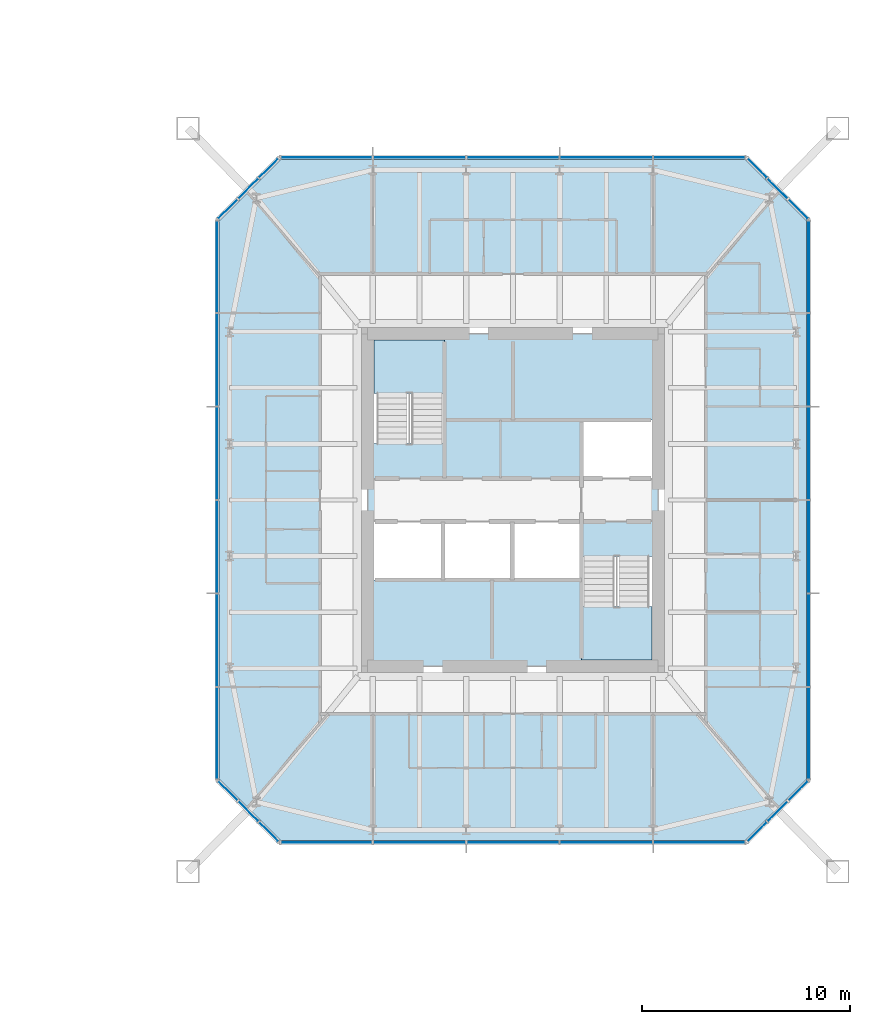
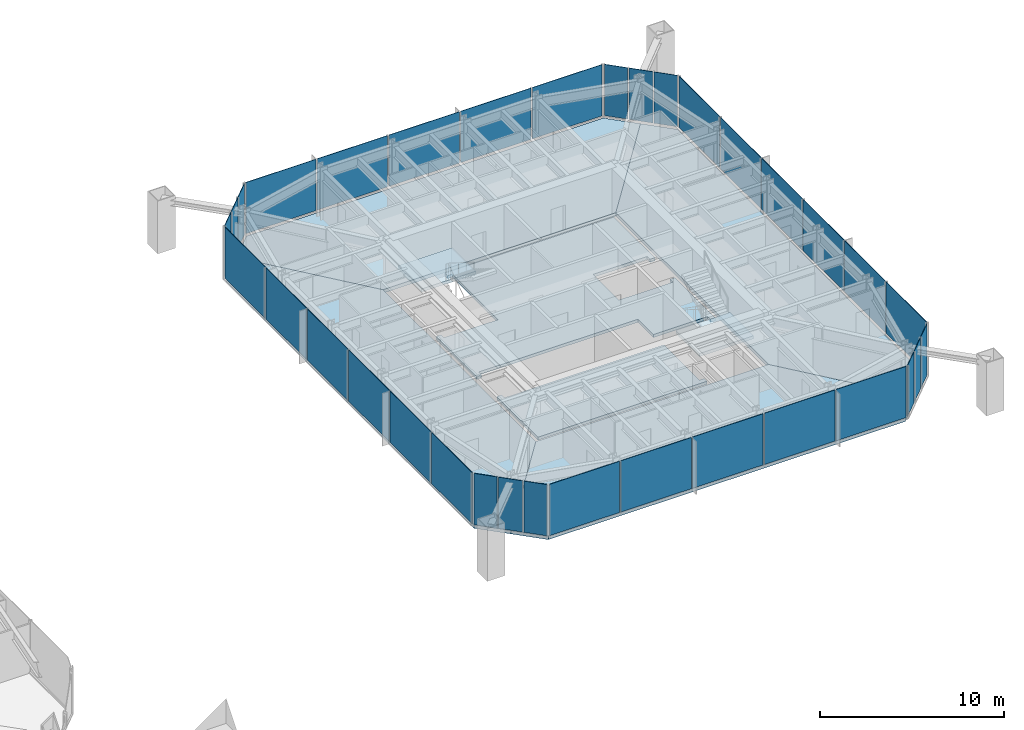
# One storey, part 12 of 25: 34 plates, 8 slabs, 10 elements without a shape of their own.
"""IFC4 building model written with IfcOpenShell, lengths in metres."""

from ifc_helpers import new_model, si_unit, direction, frame, origin, origin_2d, place, context, subcontext, project, spatial, polyline, rectangle, outline, extrude, material, layer, layer_set, constituent, constituent_set, type_object, element, aggregate, save


model = new_model("IFC4")

# Units and contexts
model_context = context("Model", 3, precision=1e-05, world=origin(), true_north=direction((0.0, 1.0)))
body_context = subcontext(model_context, "Body", "Model", "MODEL_VIEW")
ifc_project = project(units=[si_unit("LENGTHUNIT", "METRE"), si_unit("AREAUNIT", "SQUARE_METRE"), si_unit("VOLUMEUNIT", "CUBIC_METRE"), si_unit("PLANEANGLEUNIT", "RADIAN"), si_unit("MASSUNIT", "GRAM", prefix="KILO")], contexts=[model_context])

# Site, building, storey
site_placement = place(None, origin())
site = spatial("IfcSite", under=ifc_project, at=site_placement, CompositionType="ELEMENT")
building_placement = place(site_placement, origin())
building = spatial("IfcBuilding", under=site, at=building_placement, Name="Iwan Alto Co-Living Towers", CompositionType="ELEMENT")
storey_placement = place(building_placement, frame((0.0, 0.0, 105.0)))
storey = spatial("IfcBuildingStorey", under=building, at=storey_placement, Name="L28", CompositionType="ELEMENT", Elevation=105.0)

# Slabs
ifc_material_1 = material(Name="Concrete f'c 30 MPa", Category="concrete")
ifc_layer_1 = layer(ifc_material_1, 0.199951171875)
ifc_layer_set_1 = layer_set([ifc_layer_1], Name="CORE FLOOR SLAB 200")
slab_type_1 = type_object("IfcSlabType", Name="CORE FLOOR SLAB 200", PredefinedType="FLOOR", material=ifc_layer_set_1)
slab_1_placement = place(storey_placement, frame((0.0, 0.0, -0.199951171875)))
element("IfcSlab", 1, at=slab_1_placement, inside=storey, type_object=slab_type_1, Name="T2 core floor L28", PredefinedType="FLOOR", context=body_context, shape_type="SweptSolid", body=[
    extrude(outline(polyline([(70.0, -3.030029296875), (69.699951171875, -3.030029296875), (69.699951171875, -2.719970703125), (66.300048828125, -2.719970703125), (66.300048828125, -1.050048828125), (62.967041015625, -1.050048828125), (59.633056640625, -1.050048828125), (56.300048828125, -1.050048828125), (56.300048828125, -1.360107421875), (56.0, -1.360107421875), (56.0, 3.030029296875), (56.300048828125, 3.030029296875), (56.300048828125, 2.719970703125), (59.699951171875, 2.719970703125), (59.699951171875, 7.699951171875), (59.389892578125, 7.699951171875), (59.389892578125, 8.0), (70.0, 8.0), (70.0, 3.5400390625), (69.699951171875, 3.5400390625), (69.699951171875, 3.85009765625), (66.300048828125, 3.85009765625), (66.300048828125, 1.050048828125), (69.699951171875, 1.050048828125), (69.699951171875, 1.360107421875), (70.0, 1.360107421875), (70.0, -3.030029296875)])), origin(), (0.0, 0.0, 1.0), 0.199951171875),
])
slab_2_placement = place(storey_placement, frame((0.0, 0.0, -0.199951171875)))
element("IfcSlab", 2, at=slab_2_placement, inside=storey, type_object=slab_type_1, Name="T2 core floor L28", PredefinedType="FLOOR", context=body_context, shape_type="SweptSolid", body=[
    extrude(outline(polyline([(62.967041015625, -3.85009765625), (66.300048828125, -3.85009765625), (66.300048828125, -7.699951171875), (66.610107421875, -7.699951171875), (66.610107421875, -8.0), (56.0, -8.0), (56.0, -3.5400390625), (56.300048828125, -3.5400390625), (56.300048828125, -3.85009765625), (59.633056640625, -3.85009765625), (62.967041015625, -3.85009765625)])), origin(), (0.0, 0.0, 1.0), 0.199951171875),
])

# Curtain wall, plates
ifc_material_2 = material(Name="Bronze aluminium unitised frame", Category="aluminium")
curtain_wall_type_1 = type_object("IfcCurtainWallType", Name="CURTAIN WALL CW-C", PredefinedType="NOTDEFINED", material=ifc_material_2)
curtain_wall_1_placement = place(storey_placement, origin())
curtain_wall_1 = element("IfcCurtainWall", 3, at=curtain_wall_1_placement, inside=storey, type_object=curtain_wall_type_1, Name="T2 curtain wall S L28", PredefinedType="NOTDEFINED")
ifc_material_3 = material(Name="Bronze-tinted insulating glass", Category="glass")
ifc_layer_2 = layer(ifc_material_3, 0.031982421875)
ifc_layer_set_2 = layer_set([ifc_layer_2], Name="CW-C PANEL TINTED IGU 32")
plate_type_1 = type_object("IfcPlateType", Name="CW-C PANEL TINTED IGU 32", PredefinedType="CURTAIN_PANEL", material=ifc_layer_set_2)
plate_1_placement = place(storey_placement, frame((58.5, -16.5, 0.10009765625), z_axis=(0.0, 0.0, 1.0), x_axis=(1.0, 0.0, 0.0)))
plate_1 = element("IfcPlate", 4, at=plate_1_placement, type_object=plate_type_1, Name="CW-C panel 2.1", PredefinedType="CURTAIN_PANEL", context=body_context, shape_type="SweptSolid", body=[
    extrude(rectangle(XDim=4.419921875, YDim=0.031982421875, at=origin_2d()), origin(), (0.0, 0.0, 1.0), 3.39990234375),
])
plate_2_placement = place(storey_placement, frame((63.0, -16.5, 0.10009765625), z_axis=(0.0, 0.0, 1.0), x_axis=(1.0, 0.0, 0.0)))
plate_2 = element("IfcPlate", 5, at=plate_2_placement, type_object=plate_type_1, Name="CW-C panel 3.1", PredefinedType="CURTAIN_PANEL", context=body_context, shape_type="SweptSolid", body=[
    extrude(rectangle(XDim=4.419921875, YDim=0.031982421875, at=origin_2d()), origin(), (0.0, 0.0, 1.0), 3.39990234375),
])
plate_3_placement = place(storey_placement, frame((67.5, -16.5, 0.10009765625), z_axis=(0.0, 0.0, 1.0), x_axis=(1.0, 0.0, 0.0)))
plate_3 = element("IfcPlate", 6, at=plate_3_placement, type_object=plate_type_1, Name="CW-C panel 4.1", PredefinedType="CURTAIN_PANEL", context=body_context, shape_type="SweptSolid", body=[
    extrude(rectangle(XDim=4.419921875, YDim=0.031982421875, at=origin_2d()), origin(), (0.0, 0.0, 1.0), 3.39990234375),
])

curtain_wall_2_placement = place(storey_placement, origin())
curtain_wall_2 = element("IfcCurtainWall", 7, at=curtain_wall_2_placement, inside=storey, type_object=curtain_wall_type_1, Name="T2 curtain wall E L28", PredefinedType="NOTDEFINED")
plate_4_placement = place(storey_placement, frame((77.25, -2.25, 0.10009765625), z_axis=(0.0, 0.0, 1.0), x_axis=(0.0, 1.0, 0.0)))
plate_4 = element("IfcPlate", 8, at=plate_4_placement, type_object=plate_type_1, Name="CW-C panel 3.1", PredefinedType="CURTAIN_PANEL", context=body_context, shape_type="SweptSolid", body=[
    extrude(rectangle(XDim=4.419921875, YDim=0.031982421875, at=origin_2d()), origin(), (0.0, 0.0, 1.0), 3.39990234375),
])
plate_5_placement = place(storey_placement, frame((77.25, 2.25, 0.10009765625), z_axis=(0.0, 0.0, 1.0), x_axis=(0.0, 1.0, 0.0)))
plate_5 = element("IfcPlate", 9, at=plate_5_placement, type_object=plate_type_1, Name="CW-C panel 4.1", PredefinedType="CURTAIN_PANEL", context=body_context, shape_type="SweptSolid", body=[
    extrude(rectangle(XDim=4.419921875, YDim=0.031982421875, at=origin_2d()), origin(), (0.0, 0.0, 1.0), 3.39990234375),
])

curtain_wall_3_placement = place(storey_placement, origin())
curtain_wall_3 = element("IfcCurtainWall", 10, at=curtain_wall_3_placement, inside=storey, type_object=curtain_wall_type_1, Name="T2 curtain wall N L28", PredefinedType="NOTDEFINED")
plate_6_placement = place(storey_placement, frame((67.5, 16.5, 0.10009765625), z_axis=(0.0, 0.0, 1.0), x_axis=(-1.0, 0.0, 0.0)))
plate_6 = element("IfcPlate", 11, at=plate_6_placement, type_object=plate_type_1, Name="CW-C panel 2.1", PredefinedType="CURTAIN_PANEL", context=body_context, shape_type="SweptSolid", body=[
    extrude(rectangle(XDim=4.419921875, YDim=0.031982421875, at=origin_2d()), origin(), (0.0, 0.0, 1.0), 3.39990234375),
])
plate_7_placement = place(storey_placement, frame((63.0, 16.5, 0.10009765625), z_axis=(0.0, 0.0, 1.0), x_axis=(-1.0, 0.0, 0.0)))
plate_7 = element("IfcPlate", 12, at=plate_7_placement, type_object=plate_type_1, Name="CW-C panel 3.1", PredefinedType="CURTAIN_PANEL", context=body_context, shape_type="SweptSolid", body=[
    extrude(rectangle(XDim=4.419921875, YDim=0.031982421875, at=origin_2d()), origin(), (0.0, 0.0, 1.0), 3.39990234375),
])
plate_8_placement = place(storey_placement, frame((58.5, 16.5, 0.10009765625), z_axis=(0.0, 0.0, 1.0), x_axis=(-1.0, 0.0, 0.0)))
plate_8 = element("IfcPlate", 13, at=plate_8_placement, type_object=plate_type_1, Name="CW-C panel 4.1", PredefinedType="CURTAIN_PANEL", context=body_context, shape_type="SweptSolid", body=[
    extrude(rectangle(XDim=4.419921875, YDim=0.031982421875, at=origin_2d()), origin(), (0.0, 0.0, 1.0), 3.39990234375),
])

curtain_wall_4_placement = place(storey_placement, origin())
curtain_wall_4 = element("IfcCurtainWall", 14, at=curtain_wall_4_placement, inside=storey, type_object=curtain_wall_type_1, Name="T2 curtain wall W L28", PredefinedType="NOTDEFINED")
plate_9_placement = place(storey_placement, frame((48.75, 2.25, 0.10009765625), z_axis=(0.0, 0.0, 1.0), x_axis=(0.0, -1.0, 0.0)))
plate_9 = element("IfcPlate", 15, at=plate_9_placement, type_object=plate_type_1, Name="CW-C panel 3.1", PredefinedType="CURTAIN_PANEL", context=body_context, shape_type="SweptSolid", body=[
    extrude(rectangle(XDim=4.419921875, YDim=0.031982421875, at=origin_2d()), origin(), (0.0, 0.0, 1.0), 3.39990234375),
])
plate_10_placement = place(storey_placement, frame((48.75, -2.25, 0.10009765625), z_axis=(0.0, 0.0, 1.0), x_axis=(0.0, -1.0, 0.0)))
plate_10 = element("IfcPlate", 16, at=plate_10_placement, type_object=plate_type_1, Name="CW-C panel 4.1", PredefinedType="CURTAIN_PANEL", context=body_context, shape_type="SweptSolid", body=[
    extrude(rectangle(XDim=4.419921875, YDim=0.031982421875, at=origin_2d()), origin(), (0.0, 0.0, 1.0), 3.39990234375),
])

# Plate
ifc_material_4 = material(Name="Insulated bronze aluminium spandrel panel", Category="aluminium")
ifc_layer_3 = layer(ifc_material_4, 0.031982421875)
ifc_layer_set_3 = layer_set([ifc_layer_3], Name="CW-C SPANDREL PANEL 32")
plate_type_2 = type_object("IfcPlateType", Name="CW-C SPANDREL PANEL 32", PredefinedType="CURTAIN_PANEL", material=ifc_layer_set_3)
plate_11_placement = place(storey_placement, frame((54.02001953125, -16.5, 0.10009765625), z_axis=(0.0, 0.0, 1.0), x_axis=(1.0, 0.0, 0.0)))
plate_11 = element("IfcPlate", 17, at=plate_11_placement, type_object=plate_type_2, Name="CW-C spandrel panel 1.1 (braced bay)", PredefinedType="CURTAIN_PANEL", context=body_context, shape_type="SweptSolid", body=[
    extrude(rectangle(XDim=4.3798828125, YDim=0.031982421875, at=origin_2d()), origin(), (0.0, 0.0, 1.0), 3.39990234375),
])

plate_12_placement = place(storey_placement, frame((71.97998046875, -16.5, 0.10009765625), z_axis=(0.0, 0.0, 1.0), x_axis=(1.0, 0.0, 0.0)))
plate_12 = element("IfcPlate", 18, at=plate_12_placement, type_object=plate_type_2, Name="CW-C spandrel panel 5.1 (braced bay)", PredefinedType="CURTAIN_PANEL", context=body_context, shape_type="SweptSolid", body=[
    extrude(rectangle(XDim=4.3798828125, YDim=0.031982421875, at=origin_2d()), origin(), (0.0, 0.0, 1.0), 3.39990234375),
])

aggregate(curtain_wall_1, [plate_1, plate_2, plate_3, plate_11, plate_12])

plate_13_placement = place(storey_placement, frame((77.25, -11.22998046875, 0.10009765625), z_axis=(0.0, 0.0, 1.0), x_axis=(0.0, 1.0, 0.0)))
plate_13 = element("IfcPlate", 19, at=plate_13_placement, type_object=plate_type_2, Name="CW-C spandrel panel 1.1 (braced bay)", PredefinedType="CURTAIN_PANEL", context=body_context, shape_type="SweptSolid", body=[
    extrude(rectangle(XDim=4.3798828125, YDim=0.031982421875, at=origin_2d()), origin(), (0.0, 0.0, 1.0), 3.39990234375),
])

plate_14_placement = place(storey_placement, frame((77.25, -6.75, 0.10009765625), z_axis=(0.0, 0.0, 1.0), x_axis=(0.0, 1.0, 0.0)))
plate_14 = element("IfcPlate", 20, at=plate_14_placement, type_object=plate_type_2, Name="CW-C spandrel panel 2.1 (braced bay)", PredefinedType="CURTAIN_PANEL", context=body_context, shape_type="SweptSolid", body=[
    extrude(rectangle(XDim=4.419921875, YDim=0.031982421875, at=origin_2d()), origin(), (0.0, 0.0, 1.0), 3.39990234375),
])

plate_15_placement = place(storey_placement, frame((77.25, 6.75, 0.10009765625), z_axis=(0.0, 0.0, 1.0), x_axis=(0.0, 1.0, 0.0)))
plate_15 = element("IfcPlate", 21, at=plate_15_placement, type_object=plate_type_2, Name="CW-C spandrel panel 5.1 (braced bay)", PredefinedType="CURTAIN_PANEL", context=body_context, shape_type="SweptSolid", body=[
    extrude(rectangle(XDim=4.419921875, YDim=0.031982421875, at=origin_2d()), origin(), (0.0, 0.0, 1.0), 3.39990234375),
])

plate_16_placement = place(storey_placement, frame((77.25, 11.22998046875, 0.10009765625), z_axis=(0.0, 0.0, 1.0), x_axis=(0.0, 1.0, 0.0)))
plate_16 = element("IfcPlate", 22, at=plate_16_placement, type_object=plate_type_2, Name="CW-C spandrel panel 6.1 (braced bay)", PredefinedType="CURTAIN_PANEL", context=body_context, shape_type="SweptSolid", body=[
    extrude(rectangle(XDim=4.3798828125, YDim=0.031982421875, at=origin_2d()), origin(), (0.0, 0.0, 1.0), 3.39990234375),
])

aggregate(curtain_wall_2, [plate_4, plate_5, plate_13, plate_14, plate_15, plate_16])

plate_17_placement = place(storey_placement, frame((71.97998046875, 16.5, 0.10009765625), z_axis=(0.0, 0.0, 1.0), x_axis=(-1.0, 0.0, 0.0)))
plate_17 = element("IfcPlate", 23, at=plate_17_placement, type_object=plate_type_2, Name="CW-C spandrel panel 1.1 (braced bay)", PredefinedType="CURTAIN_PANEL", context=body_context, shape_type="SweptSolid", body=[
    extrude(rectangle(XDim=4.3798828125, YDim=0.031982421875, at=origin_2d()), origin(), (0.0, 0.0, 1.0), 3.39990234375),
])

plate_18_placement = place(storey_placement, frame((54.02001953125, 16.5, 0.10009765625), z_axis=(0.0, 0.0, 1.0), x_axis=(-1.0, 0.0, 0.0)))
plate_18 = element("IfcPlate", 24, at=plate_18_placement, type_object=plate_type_2, Name="CW-C spandrel panel 5.1 (braced bay)", PredefinedType="CURTAIN_PANEL", context=body_context, shape_type="SweptSolid", body=[
    extrude(rectangle(XDim=4.3798828125, YDim=0.031982421875, at=origin_2d()), origin(), (0.0, 0.0, 1.0), 3.39990234375),
])

aggregate(curtain_wall_3, [plate_6, plate_7, plate_8, plate_17, plate_18])

plate_19_placement = place(storey_placement, frame((48.75, 11.22998046875, 0.10009765625), z_axis=(0.0, 0.0, 1.0), x_axis=(0.0, -1.0, 0.0)))
plate_19 = element("IfcPlate", 25, at=plate_19_placement, type_object=plate_type_2, Name="CW-C spandrel panel 1.1 (braced bay)", PredefinedType="CURTAIN_PANEL", context=body_context, shape_type="SweptSolid", body=[
    extrude(rectangle(XDim=4.3798828125, YDim=0.031982421875, at=origin_2d()), origin(), (0.0, 0.0, 1.0), 3.39990234375),
])

plate_20_placement = place(storey_placement, frame((48.75, 6.75, 0.10009765625), z_axis=(0.0, 0.0, 1.0), x_axis=(0.0, -1.0, 0.0)))
plate_20 = element("IfcPlate", 26, at=plate_20_placement, type_object=plate_type_2, Name="CW-C spandrel panel 2.1 (braced bay)", PredefinedType="CURTAIN_PANEL", context=body_context, shape_type="SweptSolid", body=[
    extrude(rectangle(XDim=4.419921875, YDim=0.031982421875, at=origin_2d()), origin(), (0.0, 0.0, 1.0), 3.39990234375),
])

plate_21_placement = place(storey_placement, frame((48.75, -6.75, 0.10009765625), z_axis=(0.0, 0.0, 1.0), x_axis=(0.0, -1.0, 0.0)))
plate_21 = element("IfcPlate", 27, at=plate_21_placement, type_object=plate_type_2, Name="CW-C spandrel panel 5.1 (braced bay)", PredefinedType="CURTAIN_PANEL", context=body_context, shape_type="SweptSolid", body=[
    extrude(rectangle(XDim=4.419921875, YDim=0.031982421875, at=origin_2d()), origin(), (0.0, 0.0, 1.0), 3.39990234375),
])

plate_22_placement = place(storey_placement, frame((48.75, -11.22998046875, 0.10009765625), z_axis=(0.0, 0.0, 1.0), x_axis=(0.0, -1.0, 0.0)))
plate_22 = element("IfcPlate", 28, at=plate_22_placement, type_object=plate_type_2, Name="CW-C spandrel panel 6.1 (braced bay)", PredefinedType="CURTAIN_PANEL", context=body_context, shape_type="SweptSolid", body=[
    extrude(rectangle(XDim=4.3798828125, YDim=0.031982421875, at=origin_2d()), origin(), (0.0, 0.0, 1.0), 3.39990234375),
])

aggregate(curtain_wall_4, [plate_9, plate_10, plate_19, plate_20, plate_21, plate_22])

# Curtain wall, plates
ifc_material_5 = material(Name="Bronze aluminium unitised frame", Category="aluminium")
curtain_wall_type_2 = type_object("IfcCurtainWallType", Name="CURTAIN WALL CW-D", PredefinedType="NOTDEFINED", material=ifc_material_5)
curtain_wall_5_placement = place(storey_placement, origin())
curtain_wall_5 = element("IfcCurtainWall", 29, at=curtain_wall_5_placement, inside=storey, type_object=curtain_wall_type_2, Name="T2 chamfer curtain wall SE L28", PredefinedType="NOTDEFINED")
ifc_material_6 = material(Name="Bronze-tinted insulating glass", Category="glass")
ifc_layer_4 = layer(ifc_material_6, 0.031982421875)
ifc_layer_set_4 = layer_set([ifc_layer_4], Name="CW-D PANEL TINTED IGU 32")
plate_type_3 = type_object("IfcPlateType", Name="CW-D PANEL TINTED IGU 32", PredefinedType="CURTAIN_PANEL", material=ifc_layer_set_4)
plate_23_placement = place(storey_placement, frame((74.76416015625, -15.98583984375, 0.10009765625), z_axis=(0.0, 0.0, 1.0), x_axis=(0.707106781187, 0.707106781187, 0.0)))
plate_23 = element("IfcPlate", 30, at=plate_23_placement, type_object=plate_type_3, Name="CW-D panel 1.1", PredefinedType="CURTAIN_PANEL", context=body_context, shape_type="SweptSolid", body=[
    extrude(rectangle(XDim=1.294189453125, YDim=0.031982421875, at=origin_2d()), origin(), (0.0, 0.0, 1.0), 3.39990234375),
])
plate_24_placement = place(storey_placement, frame((75.75, -15.0, 0.10009765625), z_axis=(0.0, 0.0, 1.0), x_axis=(0.707106781187, 0.707106781187, 0.0)))
plate_24 = element("IfcPlate", 31, at=plate_24_placement, type_object=plate_type_3, Name="CW-D panel 2.1", PredefinedType="CURTAIN_PANEL", context=body_context, shape_type="SweptSolid", body=[
    extrude(rectangle(XDim=1.334228515625, YDim=0.031982421875, at=origin_2d()), origin(), (0.0, 0.0, 1.0), 3.39990234375),
])
plate_25_placement = place(storey_placement, frame((76.73583984375, -14.01416015625, 0.10009765625), z_axis=(0.0, 0.0, 1.0), x_axis=(0.707106781187, 0.707106781187, 0.0)))
plate_25 = element("IfcPlate", 32, at=plate_25_placement, type_object=plate_type_3, Name="CW-D panel 3.1", PredefinedType="CURTAIN_PANEL", context=body_context, shape_type="SweptSolid", body=[
    extrude(rectangle(XDim=1.294189453125, YDim=0.031982421875, at=origin_2d()), origin(), (0.0, 0.0, 1.0), 3.39990234375),
])
aggregate(curtain_wall_5, [plate_23, plate_24, plate_25])

curtain_wall_6_placement = place(storey_placement, origin())
curtain_wall_6 = element("IfcCurtainWall", 33, at=curtain_wall_6_placement, inside=storey, type_object=curtain_wall_type_2, Name="T2 chamfer curtain wall NE L28", PredefinedType="NOTDEFINED")
plate_26_placement = place(storey_placement, frame((76.73583984375, 14.01416015625, 0.10009765625), z_axis=(0.0, 0.0, 1.0), x_axis=(-0.707106781187, 0.707106781187, 0.0)))
plate_26 = element("IfcPlate", 34, at=plate_26_placement, type_object=plate_type_3, Name="CW-D panel 1.1", PredefinedType="CURTAIN_PANEL", context=body_context, shape_type="SweptSolid", body=[
    extrude(rectangle(XDim=1.294189453125, YDim=0.031982421875, at=origin_2d()), origin(), (0.0, 0.0, 1.0), 3.39990234375),
])
plate_27_placement = place(storey_placement, frame((75.75, 15.0, 0.10009765625), z_axis=(0.0, 0.0, 1.0), x_axis=(-0.707106781187, 0.707106781187, 0.0)))
plate_27 = element("IfcPlate", 35, at=plate_27_placement, type_object=plate_type_3, Name="CW-D panel 2.1", PredefinedType="CURTAIN_PANEL", context=body_context, shape_type="SweptSolid", body=[
    extrude(rectangle(XDim=1.334228515625, YDim=0.031982421875, at=origin_2d()), origin(), (0.0, 0.0, 1.0), 3.39990234375),
])
plate_28_placement = place(storey_placement, frame((74.76416015625, 15.98583984375, 0.10009765625), z_axis=(0.0, 0.0, 1.0), x_axis=(-0.707106781187, 0.707106781187, 0.0)))
plate_28 = element("IfcPlate", 36, at=plate_28_placement, type_object=plate_type_3, Name="CW-D panel 3.1", PredefinedType="CURTAIN_PANEL", context=body_context, shape_type="SweptSolid", body=[
    extrude(rectangle(XDim=1.294189453125, YDim=0.031982421875, at=origin_2d()), origin(), (0.0, 0.0, 1.0), 3.39990234375),
])
aggregate(curtain_wall_6, [plate_26, plate_27, plate_28])

curtain_wall_7_placement = place(storey_placement, origin())
curtain_wall_7 = element("IfcCurtainWall", 37, at=curtain_wall_7_placement, inside=storey, type_object=curtain_wall_type_2, Name="T2 chamfer curtain wall NW L28", PredefinedType="NOTDEFINED")
plate_29_placement = place(storey_placement, frame((51.23583984375, 15.98583984375, 0.10009765625), z_axis=(0.0, 0.0, 1.0), x_axis=(-0.707106781187, -0.707106781187, 0.0)))
plate_29 = element("IfcPlate", 38, at=plate_29_placement, type_object=plate_type_3, Name="CW-D panel 1.1", PredefinedType="CURTAIN_PANEL", context=body_context, shape_type="SweptSolid", body=[
    extrude(rectangle(XDim=1.294189453125, YDim=0.031982421875, at=origin_2d()), origin(), (0.0, 0.0, 1.0), 3.39990234375),
])
plate_30_placement = place(storey_placement, frame((50.25, 15.0, 0.10009765625), z_axis=(0.0, 0.0, 1.0), x_axis=(-0.707106781187, -0.707106781187, 0.0)))
plate_30 = element("IfcPlate", 39, at=plate_30_placement, type_object=plate_type_3, Name="CW-D panel 2.1", PredefinedType="CURTAIN_PANEL", context=body_context, shape_type="SweptSolid", body=[
    extrude(rectangle(XDim=1.334228515625, YDim=0.031982421875, at=origin_2d()), origin(), (0.0, 0.0, 1.0), 3.39990234375),
])
plate_31_placement = place(storey_placement, frame((49.26416015625, 14.01416015625, 0.10009765625), z_axis=(0.0, 0.0, 1.0), x_axis=(-0.707106781187, -0.707106781187, 0.0)))
plate_31 = element("IfcPlate", 40, at=plate_31_placement, type_object=plate_type_3, Name="CW-D panel 3.1", PredefinedType="CURTAIN_PANEL", context=body_context, shape_type="SweptSolid", body=[
    extrude(rectangle(XDim=1.294189453125, YDim=0.031982421875, at=origin_2d()), origin(), (0.0, 0.0, 1.0), 3.39990234375),
])
aggregate(curtain_wall_7, [plate_29, plate_30, plate_31])

curtain_wall_8_placement = place(storey_placement, origin())
curtain_wall_8 = element("IfcCurtainWall", 41, at=curtain_wall_8_placement, inside=storey, type_object=curtain_wall_type_2, Name="T2 chamfer curtain wall SW L28", PredefinedType="NOTDEFINED")
plate_32_placement = place(storey_placement, frame((49.26416015625, -14.01416015625, 0.10009765625), z_axis=(0.0, 0.0, 1.0), x_axis=(0.707106781187, -0.707106781187, 0.0)))
plate_32 = element("IfcPlate", 42, at=plate_32_placement, type_object=plate_type_3, Name="CW-D panel 1.1", PredefinedType="CURTAIN_PANEL", context=body_context, shape_type="SweptSolid", body=[
    extrude(rectangle(XDim=1.294189453125, YDim=0.031982421875, at=origin_2d()), origin(), (0.0, 0.0, 1.0), 3.39990234375),
])
plate_33_placement = place(storey_placement, frame((50.25, -15.0, 0.10009765625), z_axis=(0.0, 0.0, 1.0), x_axis=(0.707106781187, -0.707106781187, 0.0)))
plate_33 = element("IfcPlate", 43, at=plate_33_placement, type_object=plate_type_3, Name="CW-D panel 2.1", PredefinedType="CURTAIN_PANEL", context=body_context, shape_type="SweptSolid", body=[
    extrude(rectangle(XDim=1.334228515625, YDim=0.031982421875, at=origin_2d()), origin(), (0.0, 0.0, 1.0), 3.39990234375),
])
plate_34_placement = place(storey_placement, frame((51.23583984375, -15.98583984375, 0.10009765625), z_axis=(0.0, 0.0, 1.0), x_axis=(0.707106781187, -0.707106781187, 0.0)))
plate_34 = element("IfcPlate", 44, at=plate_34_placement, type_object=plate_type_3, Name="CW-D panel 3.1", PredefinedType="CURTAIN_PANEL", context=body_context, shape_type="SweptSolid", body=[
    extrude(rectangle(XDim=1.294189453125, YDim=0.031982421875, at=origin_2d()), origin(), (0.0, 0.0, 1.0), 3.39990234375),
])
aggregate(curtain_wall_8, [plate_32, plate_33, plate_34])

# Stair, slab
ifc_material_7 = material(Name="Steel ASTM A36", Category="steel")
ifc_constituent_1 = constituent(ifc_material_7, Name="Stringers", Category="LoadBearing")
ifc_material_8 = material(Name="Concrete f'c 30 MPa", Category="concrete")
ifc_constituent_2 = constituent(ifc_material_8, Name="Tread fill", Category="Finish")
ifc_constituent_set = constituent_set(constituents=[ifc_constituent_1, ifc_constituent_2], Name="STAIR 3500 TWO-FLIGHT T2 CORE")
stair_type = type_object("IfcStairType", Name="STAIR 3500 TWO-FLIGHT T2 CORE", PredefinedType="HALF_TURN_STAIR", material=ifc_constituent_set)
stair_1_placement = place(storey_placement, origin())
stair_1 = element("IfcStair", 45, at=stair_1_placement, inside=storey, type_object=stair_type, Name="Stair T2-S1 L28 to L29", PredefinedType="HALF_TURN_STAIR")
ifc_material_9 = material(Name="Concrete f'c 30 MPa", Category="concrete")
ifc_layer_5 = layer(ifc_material_9, 0.199951171875)
ifc_layer_set_5 = layer_set([ifc_layer_5], Name="STAIR LANDING 200")
slab_type_2 = type_object("IfcSlabType", Name="STAIR LANDING 200", PredefinedType="LANDING", material=ifc_layer_set_5)
slab_3_placement = place(storey_placement, frame((0.0, 0.0, 1.550048828125)))
slab_3 = element("IfcSlab", 46, at=slab_3_placement, type_object=slab_type_2, Name="T2-S1 landing 1", PredefinedType="LANDING", context=body_context, shape_type="SweptSolid", body=[
    extrude(outline(polyline([(56.300048828125, 5.139892578125), (56.300048828125, 7.699951171875), (59.699951171875, 7.699951171875), (59.699951171875, 5.139892578125), (56.300048828125, 5.139892578125)])), origin(), (0.0, 0.0, 1.0), 0.199951171875),
])
aggregate(stair_1, [slab_3])

stair_2_placement = place(storey_placement, origin())
stair_2 = element("IfcStair", 47, at=stair_2_placement, inside=storey, type_object=stair_type, Name="Stair T2-S2 L28 to L29", PredefinedType="HALF_TURN_STAIR")
slab_4_placement = place(storey_placement, frame((0.0, 0.0, 1.550048828125)))
slab_4 = element("IfcSlab", 48, at=slab_4_placement, type_object=slab_type_2, Name="T2-S2 landing 1", PredefinedType="LANDING", context=body_context, shape_type="SweptSolid", body=[
    extrude(outline(polyline([(66.300048828125, -5.139892578125), (66.300048828125, -7.699951171875), (69.699951171875, -7.699951171875), (69.699951171875, -5.139892578125), (66.300048828125, -5.139892578125)])), origin(), (0.0, 0.0, 1.0), 0.199951171875),
])
aggregate(stair_2, [slab_4])

# Slabs
ifc_material_10 = material(Name="Concrete f'c 30 MPa", Category="concrete")
ifc_layer_6 = layer(ifc_material_10, 0.22998046875)
ifc_layer_set_6 = layer_set([ifc_layer_6], Name="T2 FLOOR SLAB 230")
slab_type_3 = type_object("IfcSlabType", Name="T2 FLOOR SLAB 230", PredefinedType="FLOOR", material=ifc_layer_set_6)
slab_5_placement = place(storey_placement, frame((0.0, 0.0, -0.22998046875)))
element("IfcSlab", 49, at=slab_5_placement, inside=storey, type_object=slab_type_3, Name="T2 floor slab L28 S pour", PredefinedType="FLOOR", context=body_context, shape_type="SweptSolid", body=[
    extrude(outline(polyline([(74.19140625, -16.39990234375), (51.80859375, -16.39990234375), (50.330810546875, -14.92236328125), (55.699951171875, -8.300048828125), (70.300048828125, -8.300048828125), (75.669189453125, -14.92236328125), (74.19140625, -16.39990234375)])), origin(), (0.0, 0.0, 1.0), 0.22998046875),
])
slab_6_placement = place(storey_placement, frame((0.0, 0.0, -0.22998046875)))
element("IfcSlab", 50, at=slab_6_placement, inside=storey, type_object=slab_type_3, Name="T2 floor slab L28 E pour", PredefinedType="FLOOR", context=body_context, shape_type="SweptSolid", body=[
    extrude(outline(polyline([(77.14990234375, 13.44140625), (77.14990234375, -13.44140625), (75.669189453125, -14.92236328125), (70.300048828125, -8.300048828125), (70.300048828125, 8.300048828125), (75.669189453125, 14.92236328125), (77.14990234375, 13.44140625)])), origin(), (0.0, 0.0, 1.0), 0.22998046875),
])
slab_7_placement = place(storey_placement, frame((0.0, 0.0, -0.22998046875)))
element("IfcSlab", 51, at=slab_7_placement, inside=storey, type_object=slab_type_3, Name="T2 floor slab L28 N pour", PredefinedType="FLOOR", context=body_context, shape_type="SweptSolid", body=[
    extrude(outline(polyline([(51.80859375, 16.39990234375), (74.19140625, 16.39990234375), (75.669189453125, 14.92236328125), (70.300048828125, 8.300048828125), (55.699951171875, 8.300048828125), (50.330810546875, 14.92236328125), (51.80859375, 16.39990234375)])), origin(), (0.0, 0.0, 1.0), 0.22998046875),
])
slab_8_placement = place(storey_placement, frame((0.0, 0.0, -0.22998046875)))
element("IfcSlab", 52, at=slab_8_placement, inside=storey, type_object=slab_type_3, Name="T2 floor slab L28 W pour", PredefinedType="FLOOR", context=body_context, shape_type="SweptSolid", body=[
    extrude(outline(polyline([(48.85009765625, 13.44140625), (50.330810546875, 14.92236328125), (55.699951171875, 8.300048828125), (55.699951171875, -8.300048828125), (50.330810546875, -14.92236328125), (48.85009765625, -13.44140625), (48.85009765625, 13.44140625)])), origin(), (0.0, 0.0, 1.0), 0.22998046875),
])

save(model, "model.ifc")
